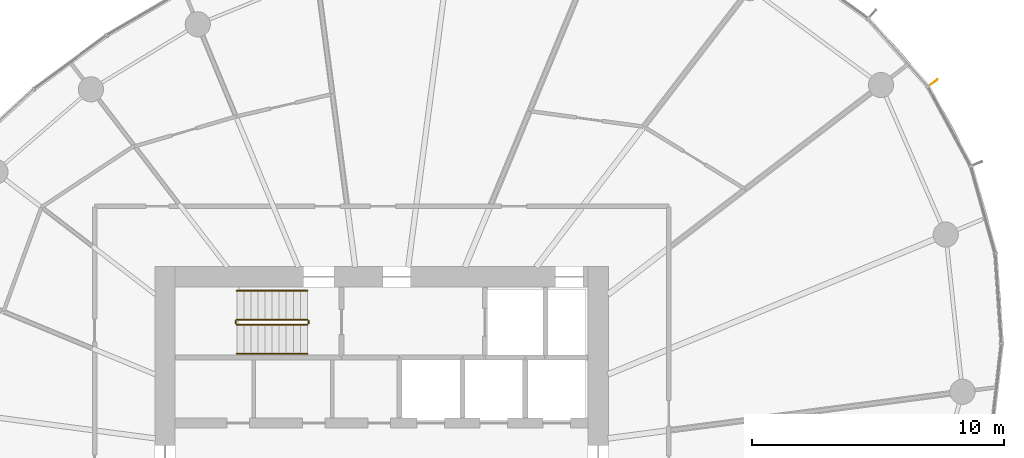
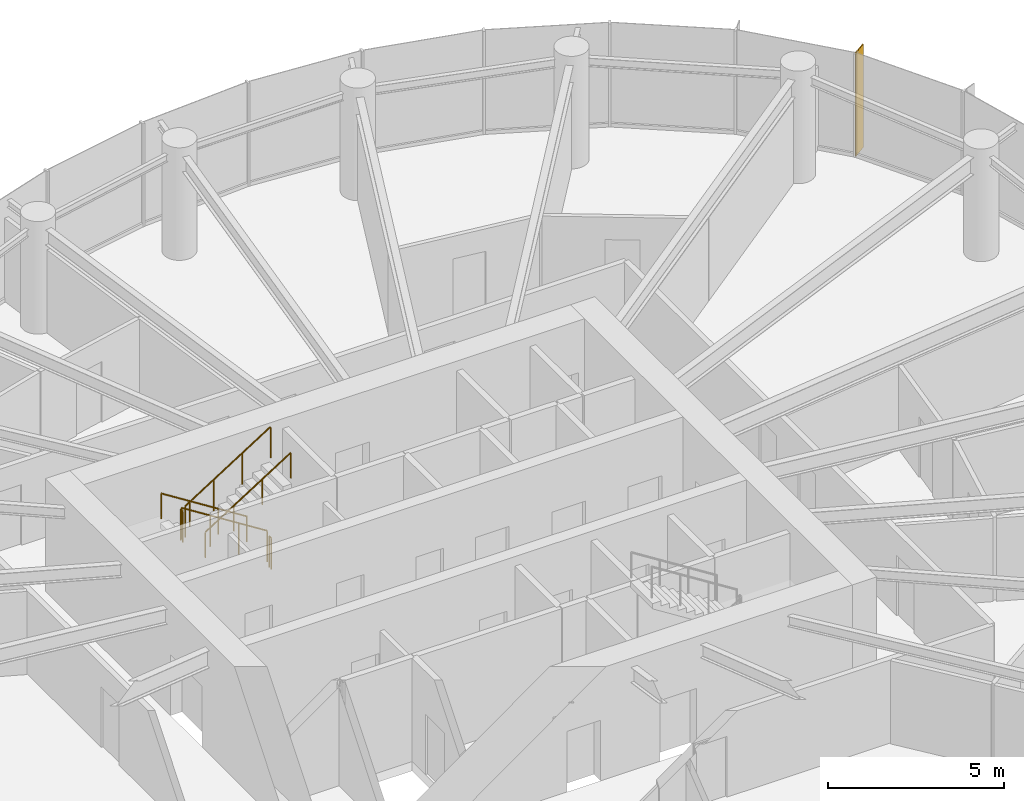
# One storey, part 14 of 15: 6 railings, 1 shading device.
"""IFC4 building model written with IfcOpenShell, lengths in metres."""

from ifc_helpers import new_model, si_unit, direction, frame, origin, origin_2d, place, context, subcontext, project, spatial, rectangle, circle, extrude, source, transform, mapped, material, material_profile, profile_set, type_object, element, save


model = new_model("IFC4")

# Units and contexts
model_context = context("Model", 3, precision=1e-05, world=origin(), true_north=direction((0.0, 1.0)))
body_context = subcontext(model_context, "Body", "Model", "MODEL_VIEW")
ifc_project = project(units=[si_unit("LENGTHUNIT", "METRE"), si_unit("AREAUNIT", "SQUARE_METRE"), si_unit("VOLUMEUNIT", "CUBIC_METRE"), si_unit("PLANEANGLEUNIT", "RADIAN"), si_unit("MASSUNIT", "GRAM", prefix="KILO")], contexts=[model_context])

# Site, building, storey
site_placement = place(None, origin())
site = spatial("IfcSite", under=ifc_project, at=site_placement, CompositionType="ELEMENT")
building_placement = place(site_placement, origin())
building = spatial("IfcBuilding", under=site, at=building_placement, Name="Spindrift Exchange Tower", CompositionType="ELEMENT")
storey_placement = place(building_placement, frame((0.0, 0.0, 172.10009765625)))
storey = spatial("IfcBuildingStorey", under=building, at=storey_placement, Name="L41", CompositionType="ELEMENT", Elevation=172.10009765625)

# Railings
ifc_material_1 = material(Name="Steel balustrade", Category="steel")
railing_type_1 = type_object("IfcRailingType", Name="RL-STAIR-GUARD", PredefinedType="GUARDRAIL", material=ifc_material_1)
railing_1_placement = place(storey_placement, frame((49.050048828125, 53.89990234375, 0.17724609375)))
element("IfcRailing", 1, at=railing_1_placement, inside=storey, type_object=railing_type_1, Name="L41 ST1 stair guard 1", PredefinedType="GUARDRAIL", context=body_context, shape_type="SweptSolid", body=[
    extrude(circle(Radius=0.02392578125, at=origin_2d()), frame((0.0, 0.0, 1.076171875), z_axis=(-0.844908973607, 0.0, 0.534910110503), x_axis=(0.0, -1.0, 0.0)), (0.0, 0.0, 1.0), 3.31396484375),
    extrude(circle(Radius=0.02099609375, at=origin_2d()), origin(), (0.0, 0.0, 1.0), 1.052001953125),
    extrude(circle(Radius=0.02099609375, at=origin_2d()), frame((-0.933349609375, 0.0, 0.5908203125)), (0.0, 0.0, 1.0), 1.052001953125),
    extrude(circle(Radius=0.02099609375, at=origin_2d()), frame((-1.86669921875, 0.0, 1.181884765625)), (0.0, 0.0, 1.0), 1.052001953125),
    extrude(circle(Radius=0.02099609375, at=origin_2d()), frame((-2.800048828125, 0.0, 1.772705078125)), (0.0, 0.0, 1.0), 1.052001953125),
])
railing_2_placement = place(storey_placement, frame((46.199951171875, 53.85009765625, 1.949951171875)))
element("IfcRailing", 2, at=railing_2_placement, inside=storey, type_object=railing_type_1, Name="L41 ST1 stair guard 2", PredefinedType="GUARDRAIL", context=body_context, shape_type="SweptSolid", body=[
    extrude(circle(Radius=0.02392578125, at=origin_2d()), frame((0.0, 0.0, 1.076171875), z_axis=(0.0, -1.0, 0.0), x_axis=(1.0, 0.0, 0.0)), (0.0, 0.0, 1.0), 0.10009765625),
    extrude(circle(Radius=0.02099609375, at=origin_2d()), origin(), (0.0, 0.0, 1.0), 1.052001953125),
    extrude(circle(Radius=0.02099609375, at=origin_2d()), frame((0.0, -0.10009765625, 0.0)), (0.0, 0.0, 1.0), 1.052001953125),
])
railing_3_placement = place(storey_placement, frame((46.25, 53.699951171875, 2.127197265625)))
element("IfcRailing", 3, at=railing_3_placement, inside=storey, type_object=railing_type_1, Name="L41 ST1 stair guard 3", PredefinedType="GUARDRAIL", context=body_context, shape_type="SweptSolid", body=[
    extrude(circle(Radius=0.02392578125, at=origin_2d()), frame((0.0, 0.0, 1.076171875), z_axis=(0.844908973607, 0.0, 0.534910110503), x_axis=(0.0, 1.0, 0.0)), (0.0, 0.0, 1.0), 3.31396484375),
    extrude(circle(Radius=0.02099609375, at=origin_2d()), origin(), (0.0, 0.0, 1.0), 1.052001953125),
    extrude(circle(Radius=0.02099609375, at=origin_2d()), frame((0.933349609375, 0.0, 0.5908203125)), (0.0, 0.0, 1.0), 1.052001953125),
    extrude(circle(Radius=0.02099609375, at=origin_2d()), frame((1.86669921875, 0.0, 1.181884765625)), (0.0, 0.0, 1.0), 1.052001953125),
    extrude(circle(Radius=0.02099609375, at=origin_2d()), frame((2.800048828125, 0.0, 1.772705078125)), (0.0, 0.0, 1.0), 1.052001953125),
])
railing_4_placement = place(storey_placement, frame((49.10009765625, 53.85009765625, 0.0)))
element("IfcRailing", 4, at=railing_4_placement, inside=storey, type_object=railing_type_1, Name="L41 ST1 stair guard 4", PredefinedType="GUARDRAIL", context=body_context, shape_type="SweptSolid", body=[
    extrude(circle(Radius=0.02392578125, at=origin_2d()), frame((0.0, 0.0, 1.076171875), z_axis=(0.0, -1.0, 0.0), x_axis=(1.0, 0.0, 0.0)), (0.0, 0.0, 1.0), 0.10009765625),
    extrude(circle(Radius=0.02099609375, at=origin_2d()), origin(), (0.0, 0.0, 1.0), 1.052001953125),
    extrude(circle(Radius=0.02099609375, at=origin_2d()), frame((0.0, -0.10009765625, 0.0)), (0.0, 0.0, 1.0), 1.052001953125),
])
ifc_material_2 = material(Name="Steel tubular handrail", Category="steel")
railing_type_2 = type_object("IfcRailingType", Name="RL-STAIR-HAND", PredefinedType="HANDRAIL", material=ifc_material_2)
railing_5_placement = place(storey_placement, frame((49.050048828125, 55.050048828125, 0.17724609375)))
element("IfcRailing", 5, at=railing_5_placement, inside=storey, type_object=railing_type_2, Name="L41 ST1 stair handrail 1", PredefinedType="HANDRAIL", context=body_context, shape_type="SweptSolid", body=[
    extrude(circle(Radius=0.02392578125, at=origin_2d()), frame((0.0, 0.0, 0.8759765625), z_axis=(-0.844908973607, 0.0, 0.534910110503), x_axis=(0.0, -1.0, 0.0)), (0.0, 0.0, 1.0), 3.31396484375),
    extrude(circle(Radius=0.02099609375, at=origin_2d()), origin(), (0.0, 0.0, 1.0), 0.851806640625),
    extrude(circle(Radius=0.02099609375, at=origin_2d()), frame((-0.933349609375, 0.0, 0.5908203125)), (0.0, 0.0, 1.0), 0.851806640625),
    extrude(circle(Radius=0.02099609375, at=origin_2d()), frame((-1.86669921875, 0.0, 1.181884765625)), (0.0, 0.0, 1.0), 0.851806640625),
    extrude(circle(Radius=0.02099609375, at=origin_2d()), frame((-2.800048828125, 0.0, 1.772705078125)), (0.0, 0.0, 1.0), 0.851806640625),
])
railing_6_placement = place(storey_placement, frame((46.25, 52.550048828125, 2.127197265625)))
element("IfcRailing", 6, at=railing_6_placement, inside=storey, type_object=railing_type_2, Name="L41 ST1 stair handrail 2", PredefinedType="HANDRAIL", context=body_context, shape_type="SweptSolid", body=[
    extrude(circle(Radius=0.02392578125, at=origin_2d()), frame((0.0, 0.0, 0.8759765625), z_axis=(0.844908973607, 0.0, 0.534910110503), x_axis=(0.0, 1.0, 0.0)), (0.0, 0.0, 1.0), 3.31396484375),
    extrude(circle(Radius=0.02099609375, at=origin_2d()), origin(), (0.0, 0.0, 1.0), 0.851806640625),
    extrude(circle(Radius=0.02099609375, at=origin_2d()), frame((0.933349609375, 0.0, 0.5908203125)), (0.0, 0.0, 1.0), 0.851806640625),
    extrude(circle(Radius=0.02099609375, at=origin_2d()), frame((1.86669921875, 0.0, 1.181884765625)), (0.0, 0.0, 1.0), 0.851806640625),
    extrude(circle(Radius=0.02099609375, at=origin_2d()), frame((2.800048828125, 0.0, 1.772705078125)), (0.0, 0.0, 1.0), 0.851806640625),
])

# Shading device
ifc_material_3 = material(Name="Bronze anodised aluminium", Category="aluminium")
ifc_material_profile = material_profile(ifc_material_3, rectangle(XDim=0.030029296875, YDim=0.5, at=origin_2d()), Name="WIND FIN 30X500")
ifc_profile_set = profile_set([ifc_material_profile], Name="Bronze anodised aluminium")
shading_device_type = type_object("IfcShadingDeviceType", Name="WIND FIN 30X500", PredefinedType="USERDEFINED", material=ifc_profile_set)
shared_shape = source(origin(), body_context, "Body", "SweptSolid", [
    extrude(rectangle(XDim=0.030029296875, YDim=0.5, at=origin_2d()), origin(), (0.0, 0.0, 1.0), 3.579833984375),
])
shading_device_placement = place(storey_placement, frame((73.869873046875, 63.2841796875, 0.0), z_axis=(0.0, 0.0, 1.0), x_axis=(-0.572837053203, 0.81966926896, 0.0)))
element("IfcShadingDevice", 7, at=shading_device_placement, inside=storey, type_object=shading_device_type, Name="L41 wind fin 2", ObjectType="FIN", PredefinedType="USERDEFINED", context=body_context, shape_type="MappedRepresentation", body=[
    mapped(shared_shape, transform((0.0, 0.0, 0.0), scale=1.0)),
])

save(model, "model.ifc")
